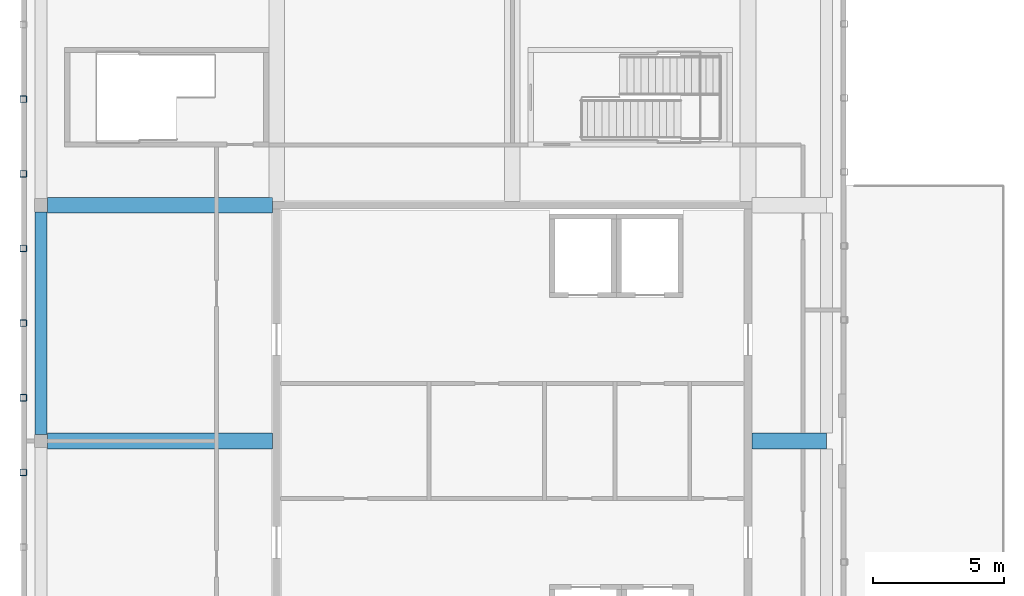
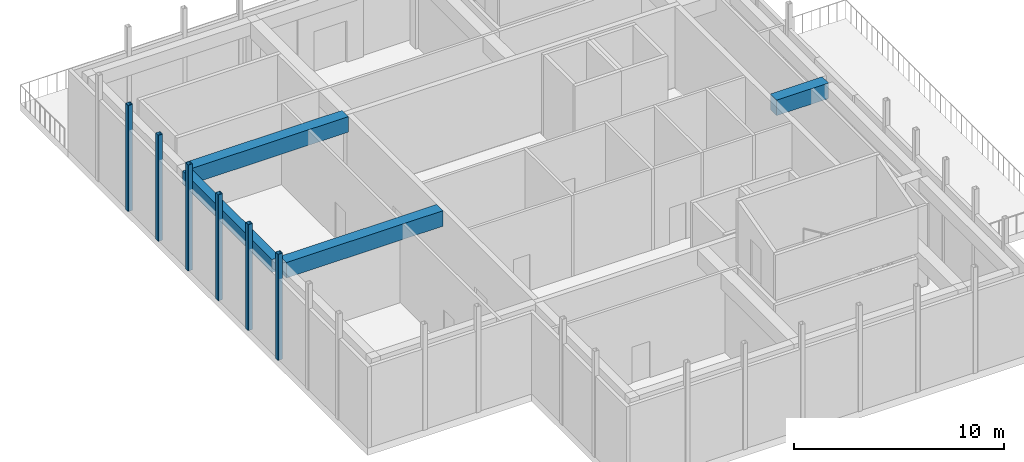
# One storey, part 4 of 11: 6 members, 4 beams.
"""IFC4 building model written with IfcOpenShell, lengths in metres."""

from ifc_helpers import new_model, si_unit, direction, frame, origin, origin_2d, place, context, subcontext, project, spatial, rectangle, hollow_rectangle, extrude, material, material_profile, profile_set, type_object, element, save


model = new_model("IFC4")

# Units and contexts
model_context = context("Model", 3, precision=1e-05, world=origin(), true_north=direction((0.0, 1.0)))
body_context = subcontext(model_context, "Body", "Model", "MODEL_VIEW")
ifc_project = project(units=[si_unit("LENGTHUNIT", "METRE"), si_unit("AREAUNIT", "SQUARE_METRE"), si_unit("VOLUMEUNIT", "CUBIC_METRE"), si_unit("PLANEANGLEUNIT", "RADIAN"), si_unit("MASSUNIT", "GRAM", prefix="KILO")], contexts=[model_context])

# Site, building, storey
site_placement = place(None, origin())
site = spatial("IfcSite", under=ifc_project, at=site_placement, CompositionType="ELEMENT")
building_placement = place(site_placement, origin())
building = spatial("IfcBuilding", under=site, at=building_placement, Name="Tuart Plaza Theatre", CompositionType="ELEMENT")
storey_placement = place(building_placement, frame((0.0, 0.0, 65.5)))
storey = spatial("IfcBuildingStorey", under=building, at=storey_placement, Name="L16", CompositionType="ELEMENT", Elevation=65.5)

# Beams
ifc_material_1 = material(Name="Concrete N40 (40 MPa)", Category="concrete")
ifc_material_profile_1 = material_profile(ifc_material_1, rectangle(XDim=0.449951171875, YDim=0.75, at=origin_2d()), Name="BEAM 450x750 Concrete N40 (40 MPa)")
ifc_profile_set_1 = profile_set([ifc_material_profile_1], Name="Concrete N40 (40 MPa)")
beam_type_1 = type_object("IfcBeamType", Name="BEAM 450x750 Concrete N40 (40 MPa)", PredefinedType="BEAM", material=ifc_profile_set_1)
beam_1_placement = place(storey_placement, frame((114.0, 74.25, 4.324951171875), z_axis=(0.0, 1.0, 0.0), x_axis=(-1.0, 0.0, 0.0)))
element("IfcBeam", 1, at=beam_1_placement, inside=storey, type_object=beam_type_1, Name="RB355", PredefinedType="BEAM", context=body_context, shape_type="SweptSolid", body=[
    extrude(rectangle(XDim=0.449951171875, YDim=0.75, at=origin_2d()), origin(), (0.0, 0.0, 1.0), 8.5),
])
ifc_material_2 = material(Name="Concrete N40 (40 MPa)", Category="concrete")
ifc_material_profile_2 = material_profile(ifc_material_2, rectangle(XDim=0.60009765625, YDim=0.89990234375, at=origin_2d()), Name="BEAM 600x900 Concrete N40 (40 MPa)")
ifc_profile_set_2 = profile_set([ifc_material_profile_2], Name="Concrete N40 (40 MPa)")
beam_type_2 = type_object("IfcBeamType", Name="BEAM 600x900 Concrete N40 (40 MPa)", PredefinedType="BEAM", material=ifc_profile_set_2)
for number, where, z_axis, x_axis, name in (
    (2, (114.25, 74.0, 4.25), (1.0, 0.0, 0.0), (0.0, 1.0, 0.0), "RB356"),
    (3, (114.25, 83.0, 4.25), (1.0, 0.0, 0.0), (0.0, 1.0, 0.0), "RB358"),
):
    element("IfcBeam", number, at=place(storey_placement, frame(where, z_axis=z_axis, x_axis=x_axis)), inside=storey, type_object=beam_type_2, Name=name, PredefinedType="BEAM", context=body_context, shape_type="SweptSolid", body=[
        extrude(rectangle(XDim=0.60009765625, YDim=0.89990234375, at=origin_2d()), origin(), (0.0, 0.0, 1.0), 8.60009765625),
    ])
beam_2_placement = place(storey_placement, frame((141.14990234375, 74.0, 4.25), z_axis=(1.0, 0.0, 0.0), x_axis=(0.0, 1.0, 0.0)))
element("IfcBeam", 4, at=beam_2_placement, inside=storey, type_object=beam_type_2, Name="RB373", PredefinedType="BEAM", context=body_context, shape_type="SweptSolid", body=[
    extrude(rectangle(XDim=0.60009765625, YDim=0.89990234375, at=origin_2d()), origin(), (0.0, 0.0, 1.0), 2.85009765625),
])

# Members
ifc_material_3 = material(Name="Steel Grade C350L0", Category="steel")
ifc_material_profile_3 = material_profile(ifc_material_3, hollow_rectangle(XDim=0.25, YDim=0.25, WallThickness=0.010009765625, InnerFilletRadius=0.010009765625, OuterFilletRadius=0.02001953125, at=origin_2d()), Name="250x250x10 SHS")
ifc_profile_set_3 = profile_set([ifc_material_profile_3], Name="Steel Grade C350L0")
member_type = type_object("IfcMemberType", Name="PLANT SCREEN Fin 250x250x10 SHS", PredefinedType="POST", material=ifc_profile_set_3)
for number, where, z_axis, x_axis, name in (
    (5, (113.324951171875, 87.050048828125, 0.0), (0.0, 0.0, 1.0), (1.0, 0.0, 0.0), "PO241"),
    (6, (113.324951171875, 84.199951171875, 0.0), (0.0, 0.0, 1.0), (1.0, 0.0, 0.0), "PO241"),
    (7, (113.324951171875, 81.35009765625, 0.0), (0.0, 0.0, 1.0), (1.0, 0.0, 0.0), "PO241"),
    (8, (113.324951171875, 78.5, 0.0), (0.0, 0.0, 1.0), (1.0, 0.0, 0.0), "PO241"),
    (9, (113.324951171875, 75.64990234375, 0.0), (0.0, 0.0, 1.0), (1.0, 0.0, 0.0), "PO241"),
    (10, (113.324951171875, 72.800048828125, 0.0), (0.0, 0.0, 1.0), (1.0, 0.0, 0.0), "PO241"),
):
    element("IfcMember", number, at=place(storey_placement, frame(where, z_axis=z_axis, x_axis=x_axis)), inside=storey, type_object=member_type, Name=name, PredefinedType="POST", context=body_context, shape_type="SweptSolid", body=[
        extrude(hollow_rectangle(XDim=0.25, YDim=0.25, WallThickness=0.010009765625, InnerFilletRadius=0.010009765625, OuterFilletRadius=0.02001953125, at=origin_2d()), origin(), (0.0, 0.0, 1.0), 6.14990234375),
    ])

save(model, "model.ifc")
